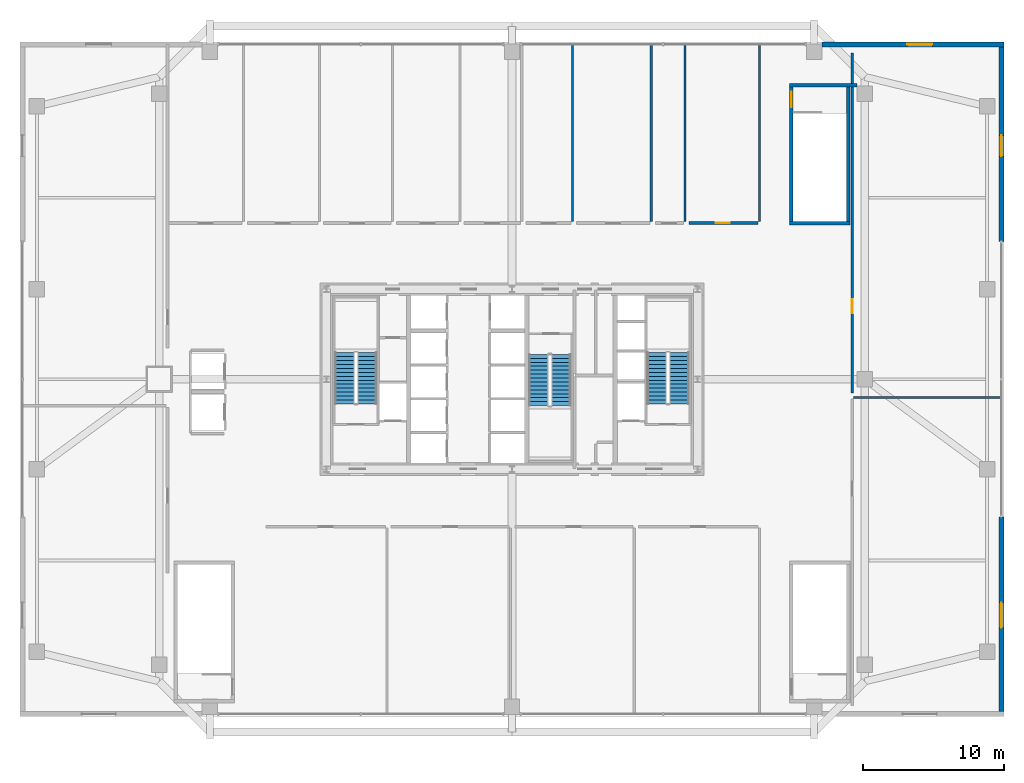
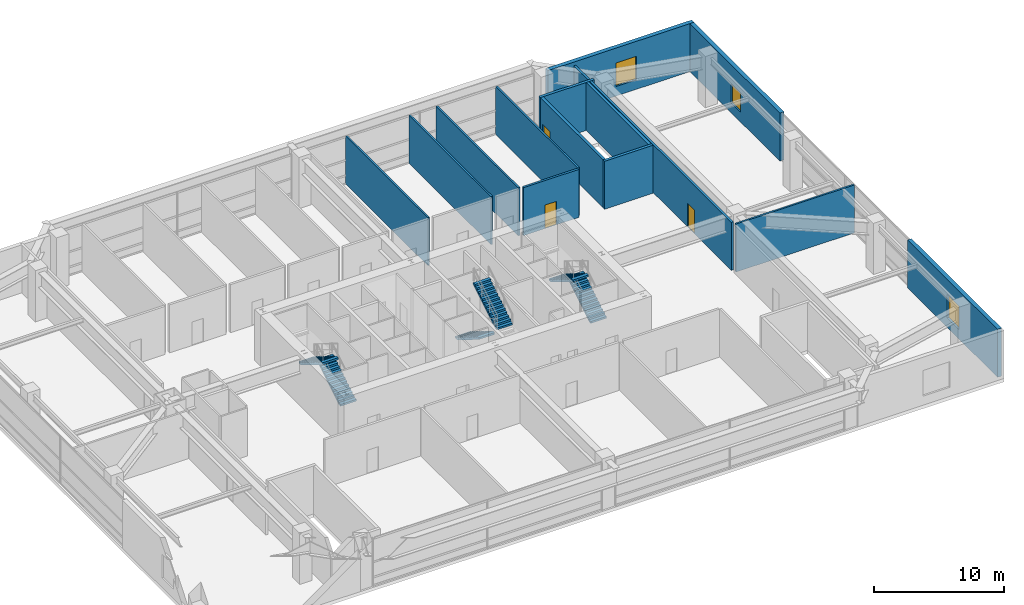
# One storey, part 32 of 34: 14 walls, 6 stair flights, 3 doors, 3 windows, 6 openings, 3 elements without a shape of their own.
"""IFC4 building model written with IfcOpenShell, lengths in metres."""

from ifc_helpers import new_model, si_unit, direction, frame, frame_2d, origin, place, context, subcontext, project, spatial, polyline, rectangle, outline, extrude, source, transform, mapped, material, layer, layer_set, type_object, element, fill, aggregate, save


model = new_model("IFC4")

# Units and contexts
model_context = context("Model", 3, precision=1e-05, world=origin(), true_north=direction((0.0, 1.0)))
body_context = subcontext(model_context, "Body", "Model", "MODEL_VIEW")
ifc_project = project(units=[si_unit("LENGTHUNIT", "METRE"), si_unit("AREAUNIT", "SQUARE_METRE"), si_unit("VOLUMEUNIT", "CUBIC_METRE"), si_unit("PLANEANGLEUNIT", "RADIAN"), si_unit("MASSUNIT", "GRAM", prefix="KILO"), si_unit("THERMODYNAMICTEMPERATUREUNIT", "KELVIN"), si_unit("POWERUNIT", "WATT")], contexts=[model_context])

# Site, building, storey
site_placement = place(None, origin())
site = spatial("IfcSite", under=ifc_project, at=site_placement, CompositionType="ELEMENT")
building_placement = place(site_placement, origin())
building = spatial("IfcBuilding", under=site, at=building_placement, Name="Yuzanri Waterfront Tower", CompositionType="ELEMENT")
storey_placement = place(building_placement, frame((0.0, 0.0, 25.800048828125)))
storey = spatial("IfcBuildingStorey", under=building, at=storey_placement, Name="L06", CompositionType="ELEMENT", Elevation=25.800048828125)

# Wall, opening, door
ifc_material_1 = material(Name="Autoclaved Aerated Concrete Blockwork", Category="masonry")
ifc_layer_1 = layer(ifc_material_1, 0.199951171875)
ifc_layer_set_1 = layer_set([ifc_layer_1], Name="Autoclaved Aerated Concrete Blockwork")
wall_type_1 = type_object("IfcWallType", Name="Corridor and Unit Party Fire Wall 200", PredefinedType="PARTITIONING", material=ifc_layer_set_1)
wall_1_placement = place(storey_placement, frame((61.199951171875, 24.800048828125, 0.0), z_axis=(0.0, 0.0, 1.0), x_axis=(0.0, 1.0, 0.0)))
wall_1 = element("IfcWall", 1, at=wall_1_placement, inside=storey, type_object=wall_type_1, Name="L06 Partition PRW-L06-034-W", PredefinedType="PARTITIONING", context=body_context, shape_type="SweptSolid", body=[
    extrude(rectangle(XDim=24.199951171875, YDim=0.199951171875, at=frame_2d((12.10009765625, 0.0))), origin(), (0.0, 0.0, 1.0), 4.5),
])
opening_1_placement = place(wall_1_placement, frame((5.699951171875, 0.0, 0.0)))
opening_1 = element("IfcOpeningElement", 2, at=opening_1_placement, cuts=wall_1, Name="Opening FD-1000", PredefinedType="OPENING", context=body_context, shape_type="SweptSolid", body=[
    extrude(rectangle(XDim=1.0, YDim=2.199951171875, at=frame_2d((0.5, 1.10009765625))), frame((0.0, 0.11474609375, 0.0), z_axis=(0.0, -1.0, 0.0), x_axis=(1.0, 0.0, 0.0)), (0.0, 0.0, 1.0), 0.229736328125),
])
ifc_material_2 = material(Name="Engineered Oak Fire-Rated Timber", Category="wood")
door_type_1 = type_object("IfcDoorType", Name="Guestroom and Apartment Entrance Fire Door 1000x2200", OperationType="NOTDEFINED", PredefinedType="DOOR", material=ifc_material_2)
shared_shape_1 = source(origin(), body_context, "Body", "SweptSolid", [
    extrude(rectangle(XDim=1.0, YDim=2.199951171875, at=frame_2d((0.5, 1.10009765625))), frame((0.0, 0.02490234375, 0.0), z_axis=(0.0, -1.0, 0.0), x_axis=(1.0, 0.0, 0.0)), (0.0, 0.0, 1.0), 0.050048828125),
])
door_1_placement = place(opening_1_placement, origin())
door_1 = element("IfcDoor", 3, at=door_1_placement, inside=storey, type_object=door_type_1, Name="L06 Simultaneous Interpretation Office", OperationType="SINGLE_SWING_RIGHT", OverallHeight=2.199951171875, OverallWidth=1.0, PredefinedType="DOOR", context=body_context, shape_type="MappedRepresentation", body=[
    mapped(shared_shape_1, transform((0.0, 0.0, 0.0), scale=1.0)),
])
fill(opening_1, door_1)

wall_2_placement = place(storey_placement, frame((49.60009765625, 36.89990234375, 0.0), z_axis=(0.0, 0.0, 1.0), x_axis=(1.0, 0.0, 0.0)))
wall_2 = element("IfcWall", 4, at=wall_2_placement, inside=storey, type_object=wall_type_1, Name="L06 Partition PRW-L06-043-S", PredefinedType="PARTITIONING", context=body_context, shape_type="SweptSolid", body=[
    extrude(rectangle(XDim=4.89990234375, YDim=0.199951171875, at=frame_2d((2.449951171875, 0.0))), origin(), (0.0, 0.0, 1.0), 4.5),
])
opening_2_placement = place(wall_2_placement, frame((1.89990234375, 0.0, 0.0)))
opening_2 = element("IfcOpeningElement", 5, at=opening_2_placement, cuts=wall_2, Name="Opening FD-1000", PredefinedType="OPENING", context=body_context, shape_type="SweptSolid", body=[
    extrude(rectangle(XDim=1.0, YDim=2.199951171875, at=frame_2d((0.5, 1.10009765625))), frame((0.0, 0.11474609375, 0.0), z_axis=(0.0, -1.0, 0.0), x_axis=(1.0, 0.0, 0.0)), (0.0, 0.0, 1.0), 0.229736328125),
])
door_2_placement = place(opening_2_placement, origin())
door_2 = element("IfcDoor", 6, at=door_2_placement, inside=storey, type_object=door_type_1, Name="L06 Conference Archive Store", OperationType="SINGLE_SWING_LEFT", OverallHeight=2.199951171875, OverallWidth=1.0, PredefinedType="DOOR", context=body_context, shape_type="MappedRepresentation", body=[
    mapped(shared_shape_1, transform((0.0, 0.0, 0.0), scale=1.0)),
])
fill(opening_2, door_2)

# Wall, opening, window
ifc_material_3 = material(Name="Honed Chongqing Dark Basalt Stone", Category="masonry")
ifc_layer_2 = layer(ifc_material_3, 0.360107421875)
ifc_layer_set_2 = layer_set([ifc_layer_2], Name="Honed Chongqing Dark Basalt Stone")
wall_type_2 = type_object("IfcWallType", Name="Honed Basalt Stone Masonry-Frame Spandrel Wall 360", PredefinedType="SOLIDWALL", material=ifc_layer_set_2)
wall_3_placement = place(storey_placement, frame((59.070068359375, 49.6201171875, 0.0), z_axis=(0.0, 0.0, 1.0), x_axis=(1.0, 0.0, 0.0)))
wall_3 = element("IfcWall", 7, at=wall_3_placement, inside=storey, type_object=wall_type_2, Name="L06 North-East Basalt Wall", PredefinedType="SOLIDWALL", context=body_context, shape_type="SweptSolid", body=[
    extrude(rectangle(XDim=12.929931640625, YDim=0.360107421875, at=frame_2d((6.46484375, 0.0))), origin(), (0.0, 0.0, 1.0), 4.5),
])
opening_3_placement = place(wall_3_placement, frame((6.030029296875, 0.0, 0.89990234375)))
opening_3 = element("IfcOpeningElement", 8, at=opening_3_placement, cuts=wall_3, Name="Opening WN-01", PredefinedType="OPENING", context=body_context, shape_type="SweptSolid", body=[
    extrude(rectangle(XDim=1.800048828125, YDim=2.199951171875, at=frame_2d((0.89990234375, 1.10009765625))), frame((0.0, 0.19482421875, 0.0), z_axis=(0.0, -1.0, 0.0), x_axis=(1.0, 0.0, 0.0)), (0.0, 0.0, 1.0), 0.389892578125),
])
ifc_material_4 = material(Name="Double-Silver Low-E Insulated Glass", Category="glass")
window_type_1 = type_object("IfcWindowType", Name="Anodized Bronze Recessed Bronze Frame Double Casement Window 1800x2200", PartitioningType="SINGLE_PANEL", PredefinedType="WINDOW", material=ifc_material_4)
shared_shape_2 = source(origin(), body_context, "Body", "SweptSolid", [
    extrude(rectangle(XDim=1.800048828125, YDim=2.199951171875, at=frame_2d((0.89990234375, 1.10009765625))), frame((0.0, 0.030029296875, 0.0), z_axis=(0.0, -1.0, 0.0), x_axis=(1.0, 0.0, 0.0)), (0.0, 0.0, 1.0), 0.06005859375),
])
window_1_placement = place(opening_3_placement, origin())
window_1 = element("IfcWindow", 9, at=window_1_placement, inside=storey, type_object=window_type_1, Name="L06 NE Casement Window", OverallHeight=2.199951171875, OverallWidth=1.800048828125, PartitioningType="SINGLE_PANEL", PredefinedType="WINDOW", context=body_context, shape_type="MappedRepresentation", body=[
    mapped(shared_shape_2, transform((0.0, 0.0, 0.0), scale=1.0)),
])
fill(opening_3, window_1)

wall_4_placement = place(storey_placement, frame((71.820068359375, 2.159912109375, 0.0), z_axis=(0.0, 0.0, 1.0), x_axis=(0.0, 1.0, 0.0)))
wall_4 = element("IfcWall", 10, at=wall_4_placement, inside=storey, type_object=wall_type_2, Name="L06 E South Basalt Pier", PredefinedType="SOLIDWALL", context=body_context, shape_type="SweptSolid", body=[
    extrude(rectangle(XDim=13.840087890625, YDim=0.360107421875, at=frame_2d((6.919921875, 0.0))), origin(), (0.0, 0.0, 1.0), 4.5),
])
opening_4_placement = place(wall_4_placement, frame((5.93994140625, 0.0, 0.89990234375)))
opening_4 = element("IfcOpeningElement", 11, at=opening_4_placement, cuts=wall_4, Name="Opening WN-01", PredefinedType="OPENING", context=body_context, shape_type="SweptSolid", body=[
    extrude(rectangle(XDim=1.800048828125, YDim=2.199951171875, at=frame_2d((0.89990234375, 1.10009765625))), frame((0.0, 0.19482421875, 0.0), z_axis=(0.0, -1.0, 0.0), x_axis=(1.0, 0.0, 0.0)), (0.0, 0.0, 1.0), 0.389892578125),
])
window_2_placement = place(opening_4_placement, origin())
window_2 = element("IfcWindow", 12, at=window_2_placement, inside=storey, type_object=window_type_1, Name="L06 ES Window", OverallHeight=2.199951171875, OverallWidth=1.800048828125, PartitioningType="SINGLE_PANEL", PredefinedType="WINDOW", context=body_context, shape_type="MappedRepresentation", body=[
    mapped(shared_shape_2, transform((0.0, 0.0, 0.0), scale=1.0)),
])
fill(opening_4, window_2)

wall_5_placement = place(storey_placement, frame((71.820068359375, 35.60009765625, 0.0), z_axis=(0.0, 0.0, 1.0), x_axis=(0.0, 1.0, 0.0)))
wall_5 = element("IfcWall", 13, at=wall_5_placement, inside=storey, type_object=wall_type_2, Name="L06 E North Basalt Pier", PredefinedType="SOLIDWALL", context=body_context, shape_type="SweptSolid", body=[
    extrude(rectangle(XDim=13.83984375, YDim=0.360107421875, at=frame_2d((6.919921875, 0.0))), origin(), (0.0, 0.0, 1.0), 4.5),
])
opening_5_placement = place(wall_5_placement, frame((6.050048828125, 0.0, 0.89990234375)))
opening_5 = element("IfcOpeningElement", 14, at=opening_5_placement, cuts=wall_5, Name="Opening WN-04", PredefinedType="OPENING", context=body_context, shape_type="SweptSolid", body=[
    extrude(rectangle(XDim=1.5, YDim=1.800048828125, at=frame_2d((0.75, 0.89990234375))), frame((0.0, 0.19482421875, 0.0), z_axis=(0.0, -1.0, 0.0), x_axis=(1.0, 0.0, 0.0)), (0.0, 0.0, 1.0), 0.389892578125),
])
ifc_material_5 = material(Name="Double-Silver Low-E Insulated Glass", Category="glass")
window_type_2 = type_object("IfcWindowType", Name="Anodized Bronze Suite Operable Tilt-Turn Window 1500x1800", PartitioningType="SINGLE_PANEL", PredefinedType="WINDOW", material=ifc_material_5)
shared_shape_3 = source(origin(), body_context, "Body", "SweptSolid", [
    extrude(rectangle(XDim=1.5, YDim=1.800048828125, at=frame_2d((0.75, 0.89990234375))), frame((0.0, 0.030029296875, 0.0), z_axis=(0.0, -1.0, 0.0), x_axis=(1.0, 0.0, 0.0)), (0.0, 0.0, 1.0), 0.06005859375),
])
window_3_placement = place(opening_5_placement, origin())
window_3 = element("IfcWindow", 15, at=window_3_placement, inside=storey, type_object=window_type_2, Name="L06 EN Window", OverallHeight=1.800048828125, OverallWidth=1.5, PartitioningType="SINGLE_PANEL", PredefinedType="WINDOW", context=body_context, shape_type="MappedRepresentation", body=[
    mapped(shared_shape_3, transform((0.0, 0.0, 0.0), scale=1.0)),
])
fill(opening_5, window_3)

# Wall, opening, door
ifc_material_6 = material(Name="Concrete C40", Category="concrete")
ifc_layer_3 = layer(ifc_material_6, 0.25)
ifc_layer_set_3 = layer_set([ifc_layer_3], Name="Concrete C40")
wall_type_3 = type_object("IfcWallType", Name="Smoke-Proof Stair and Lift Shaft Wall 250", PredefinedType="SOLIDWALL", material=ifc_layer_set_3)
wall_6_placement = place(storey_placement, frame((56.875, 37.0, 0.0), z_axis=(0.0, 0.0, 1.0), x_axis=(0.0, 1.0, 0.0)))
wall_6 = element("IfcWall", 16, at=wall_6_placement, inside=storey, type_object=wall_type_3, Name="L06 Shaft Wall PSTW-L06-PST-03-W", PredefinedType="SOLIDWALL", context=body_context, shape_type="SweptSolid", body=[
    extrude(rectangle(XDim=9.60009765625, YDim=0.25, at=frame_2d((4.800048828125, 0.0))), origin(), (0.0, 0.0, 1.0), 4.5),
])
opening_6_placement = place(wall_6_placement, frame((8.14990234375, 0.0, 0.0)))
opening_6 = element("IfcOpeningElement", 17, at=opening_6_placement, cuts=wall_6, Name="Opening FD-1100", PredefinedType="OPENING", context=body_context, shape_type="SweptSolid", body=[
    extrude(rectangle(XDim=1.10009765625, YDim=2.199951171875, at=frame_2d((0.550048828125, 1.10009765625))), frame((0.0, 0.139892578125, 0.0), z_axis=(0.0, -1.0, 0.0), x_axis=(1.0, 0.0, 0.0)), (0.0, 0.0, 1.0), 0.27978515625),
])
ifc_material_7 = material(Name="Painted Galvanized Fire Steel", Category="steel")
door_type_2 = type_object("IfcDoorType", Name="Smoke-Proof Stair and Lobby Fire Door 1100x2200", OperationType="NOTDEFINED", PredefinedType="DOOR", material=ifc_material_7)
shared_shape_4 = source(origin(), body_context, "Body", "SweptSolid", [
    extrude(rectangle(XDim=1.10009765625, YDim=2.199951171875, at=frame_2d((0.550048828125, 1.10009765625))), frame((0.0, 0.02490234375, 0.0), z_axis=(0.0, -1.0, 0.0), x_axis=(1.0, 0.0, 0.0)), (0.0, 0.0, 1.0), 0.050048828125),
])
door_3_placement = place(opening_6_placement, origin())
door_3 = element("IfcDoor", 18, at=door_3_placement, inside=storey, type_object=door_type_2, Name="L06 PST-03 Stair Door", OperationType="SINGLE_SWING_LEFT", OverallHeight=2.199951171875, OverallWidth=1.10009765625, PredefinedType="DOOR", context=body_context, shape_type="MappedRepresentation", body=[
    mapped(shared_shape_4, transform((0.0, 0.0, 0.0), scale=1.0)),
])
fill(opening_6, door_3)

# Walls
shared_shape_5 = source(origin(), body_context, "Body", "SweptSolid", [
    extrude(rectangle(XDim=4.300048828125, YDim=0.25, at=frame_2d((2.14990234375, 0.0))), origin(), (0.0, 0.0, 1.0), 4.5),
])
wall_7_placement = place(storey_placement, frame((56.75, 36.875, 0.0), z_axis=(0.0, 0.0, 1.0), x_axis=(1.0, 0.0, 0.0)))
element("IfcWall", 19, at=wall_7_placement, inside=storey, type_object=wall_type_3, Name="L06 PST-03 South Wall", PredefinedType="SOLIDWALL", context=body_context, shape_type="MappedRepresentation", body=[
    mapped(shared_shape_5, transform((0.0, 0.0, 0.0), scale=1.0)),
])
shared_shape_6 = source(origin(), body_context, "Body", "SweptSolid", [
    extrude(rectangle(XDim=9.60009765625, YDim=0.25, at=frame_2d((4.800048828125, 0.0))), origin(), (0.0, 0.0, 1.0), 4.5),
])
wall_8_placement = place(storey_placement, frame((60.925048828125, 37.0, 0.0), z_axis=(0.0, 0.0, 1.0), x_axis=(0.0, 1.0, 0.0)))
element("IfcWall", 20, at=wall_8_placement, inside=storey, type_object=wall_type_3, Name="L06 Shaft Wall PSTW-L06-PST-03-E", PredefinedType="SOLIDWALL", context=body_context, shape_type="MappedRepresentation", body=[
    mapped(shared_shape_6, transform((0.0, 0.0, 0.0), scale=1.0)),
])
shared_shape_7 = source(origin(), body_context, "Body", "SweptSolid", [
    extrude(rectangle(XDim=4.800048828125, YDim=0.25, at=frame_2d((2.39990234375, 0.0))), origin(), (0.0, 0.0, 1.0), 4.5),
])
wall_9_placement = place(storey_placement, frame((56.75, 46.72509765625, 0.0), z_axis=(0.0, 0.0, 1.0), x_axis=(1.0, 0.0, 0.0)))
element("IfcWall", 21, at=wall_9_placement, inside=storey, type_object=wall_type_3, Name="L06 PST-03 North Wall", PredefinedType="SOLIDWALL", context=body_context, shape_type="MappedRepresentation", body=[
    mapped(shared_shape_7, transform((0.0, 0.0, 0.0), scale=1.0)),
])
ifc_material_8 = material(Name="Gypsum Fireboard Acoustic Stud Wall", Category="gypsum")
ifc_layer_4 = layer(ifc_material_8, 0.159912109375)
ifc_layer_set_4 = layer_set([ifc_layer_4], Name="Gypsum Fireboard Acoustic Stud Wall")
wall_type_4 = type_object("IfcWallType", Name="Acoustic Suite Demising Partition 160", PredefinedType="PARTITIONING", material=ifc_layer_set_4)
shared_shape_8 = source(origin(), body_context, "Body", "SweptSolid", [
    extrude(rectangle(XDim=10.52001953125, YDim=0.159912109375, at=frame_2d((5.260009765625, 0.0))), origin(), (0.0, 0.0, 1.0), 4.5),
])
wall_10_placement = place(storey_placement, frame((61.300048828125, 24.5, 0.0), z_axis=(0.0, 0.0, 1.0), x_axis=(1.0, 0.0, 0.0)))
element("IfcWall", 22, at=wall_10_placement, inside=storey, type_object=wall_type_4, Name="L06-033 North Partition", PredefinedType="PARTITIONING", context=body_context, shape_type="MappedRepresentation", body=[
    mapped(shared_shape_8, transform((0.0, 0.0, 0.0), scale=1.0)),
])
shared_shape_9 = source(origin(), body_context, "Body", "SweptSolid", [
    extrude(rectangle(XDim=12.6201171875, YDim=0.159912109375, at=frame_2d((6.31005859375, 0.0))), origin(), (0.0, 0.0, 1.0), 4.5),
])
for number, where, z_axis, x_axis, name in (
    (23, (41.300048828125, 37.0, 0.0), (0.0, 0.0, 1.0), (0.0, 1.0, 0.0), "L06-040 Demising Wall"),
    (24, (46.89990234375, 37.0, 0.0), (0.0, 0.0, 1.0), (0.0, 1.0, 0.0), "L06-041 Demising Wall"),
    (25, (49.300048828125, 37.0, 0.0), (0.0, 0.0, 1.0), (0.0, 1.0, 0.0), "L06-042 Demising Wall"),
    (26, (54.60009765625, 37.0, 0.0), (0.0, 0.0, 1.0), (0.0, 1.0, 0.0), "L06-043 Demising Wall"),
):
    element("IfcWall", number, at=place(storey_placement, frame(where, z_axis=z_axis, x_axis=x_axis)), inside=storey, type_object=wall_type_4, Name=name, PredefinedType="PARTITIONING", context=body_context, shape_type="MappedRepresentation", body=[
        mapped(shared_shape_9, transform((0.0, 0.0, 0.0), scale=1.0)),
    ])

# Stair, stair flights
ifc_material_9 = material(Name="Concrete C40", Category="concrete")
stair_type = type_object("IfcStairType", Name="Concrete C40 Core Dogleg Exit Stair", PredefinedType="HALF_TURN_STAIR", material=ifc_material_9)
stair_1_placement = place(storey_placement, origin())
stair_1 = element("IfcStair", 27, at=stair_1_placement, inside=storey, type_object=stair_type, Name="L06 Smoke-Proof Core Stair ST-01", PredefinedType="HALF_TURN_STAIR")
ifc_material_10 = material(Name="Concrete C40", Category="concrete")
stair_flight_type = type_object("IfcStairFlightType", Name="Concrete C40 Tall-Storey Precast Stair Flight 1380", PredefinedType="STRAIGHT", material=ifc_material_10)
shared_shape_10 = source(origin(), body_context, "Body", "SweptSolid", [
    extrude(outline(polyline([(0.0, 0.0), (0.0, 0.17138671875), (0.280029296875, 0.17138671875), (0.280029296875, 0.3427734375), (0.56005859375, 0.3427734375), (0.56005859375, 0.514404296875), (0.840087890625, 0.514404296875), (0.840087890625, 0.685791015625), (1.1201171875, 0.685791015625), (1.1201171875, 0.857177734375), (1.39990234375, 0.857177734375), (1.39990234375, 1.028564453125), (1.679931640625, 1.028564453125), (1.679931640625, 1.199951171875), (1.9599609375, 1.199951171875), (1.9599609375, 1.371337890625), (2.239990234375, 1.371337890625), (2.239990234375, 1.54296875), (2.52001953125, 1.54296875), (2.52001953125, 1.71435546875), (2.800048828125, 1.71435546875), (2.800048828125, 1.8857421875), (3.080078125, 1.8857421875), (3.080078125, 2.05712890625), (3.360107421875, 2.05712890625), (3.360107421875, 2.228515625), (3.639892578125, 2.228515625), (3.639892578125, 2.39990234375), (3.639892578125, 2.052734375), (0.287109375, 0.0), (0.0, 0.0)])), frame((0.0, 0.699951171875, 0.0), z_axis=(0.0, -1.0, 0.0), x_axis=(1.0, 0.0, 0.0)), (0.0, 0.0, 1.0), 1.39990234375),
])
stair_flight_1_placement = place(storey_placement, frame((26.699951171875, 24.0400390625, 0.0), z_axis=(0.0, 0.0, 1.0), x_axis=(0.0, 1.0, 0.0)))
stair_flight_1 = element("IfcStairFlight", 28, at=stair_flight_1_placement, type_object=stair_flight_type, Name="ST-01 flight 1", NumberOfRisers=14, NumberOfTreads=13, PredefinedType="STRAIGHT", RiserHeight=0.171428571, TreadLength=0.28, context=body_context, shape_type="MappedRepresentation", body=[
    mapped(shared_shape_10, transform((0.0, 0.0, 0.0), scale=1.0)),
])
stair_flight_2_placement = place(storey_placement, frame((25.10009765625, 27.679931640625, 2.39990234375), z_axis=(0.0, 0.0, 1.0), x_axis=(0.0, -1.0, 0.0)))
stair_flight_2 = element("IfcStairFlight", 29, at=stair_flight_2_placement, type_object=stair_flight_type, Name="ST-01 flight 2", NumberOfRisers=14, NumberOfTreads=13, PredefinedType="STRAIGHT", RiserHeight=0.171428571, TreadLength=0.28, context=body_context, shape_type="MappedRepresentation", body=[
    mapped(shared_shape_10, transform((0.0, 0.0, 0.0), scale=1.0)),
])
aggregate(stair_1, [stair_flight_1, stair_flight_2])

stair_2_placement = place(storey_placement, origin())
stair_2 = element("IfcStair", 30, at=stair_2_placement, inside=storey, type_object=stair_type, Name="L06 Smoke-Proof Core Stair ST-02", PredefinedType="HALF_TURN_STAIR")
stair_flight_3_placement = place(storey_placement, frame((48.89990234375, 24.0400390625, 0.0), z_axis=(0.0, 0.0, 1.0), x_axis=(0.0, 1.0, 0.0)))
stair_flight_3 = element("IfcStairFlight", 31, at=stair_flight_3_placement, type_object=stair_flight_type, Name="ST-02 flight 1", NumberOfRisers=14, NumberOfTreads=13, PredefinedType="STRAIGHT", RiserHeight=0.171428571, TreadLength=0.28, context=body_context, shape_type="MappedRepresentation", body=[
    mapped(shared_shape_10, transform((0.0, 0.0, 0.0), scale=1.0)),
])
stair_flight_4_placement = place(storey_placement, frame((47.300048828125, 27.679931640625, 2.39990234375), z_axis=(0.0, 0.0, 1.0), x_axis=(0.0, -1.0, 0.0)))
stair_flight_4 = element("IfcStairFlight", 32, at=stair_flight_4_placement, type_object=stair_flight_type, Name="ST-02 flight 2", NumberOfRisers=14, NumberOfTreads=13, PredefinedType="STRAIGHT", RiserHeight=0.171428571, TreadLength=0.28, context=body_context, shape_type="MappedRepresentation", body=[
    mapped(shared_shape_10, transform((0.0, 0.0, 0.0), scale=1.0)),
])
aggregate(stair_2, [stair_flight_3, stair_flight_4])

stair_3_placement = place(storey_placement, origin())
stair_3 = element("IfcStair", 33, at=stair_3_placement, inside=storey, type_object=stair_type, Name="L06 Smoke-Proof Core Stair ST-03", PredefinedType="HALF_TURN_STAIR")
stair_flight_5_placement = place(storey_placement, frame((38.89990234375, 27.56005859375, 0.0), z_axis=(0.0, 0.0, 1.0), x_axis=(0.0, -1.0, 0.0)))
stair_flight_5 = element("IfcStairFlight", 34, at=stair_flight_5_placement, type_object=stair_flight_type, Name="ST-03 flight 1", NumberOfRisers=14, NumberOfTreads=13, PredefinedType="STRAIGHT", RiserHeight=0.171428571, TreadLength=0.28, context=body_context, shape_type="MappedRepresentation", body=[
    mapped(shared_shape_10, transform((0.0, 0.0, 0.0), scale=1.0)),
])
stair_flight_6_placement = place(storey_placement, frame((40.5, 23.919921875, 2.39990234375), z_axis=(0.0, 0.0, 1.0), x_axis=(0.0, 1.0, 0.0)))
stair_flight_6 = element("IfcStairFlight", 35, at=stair_flight_6_placement, type_object=stair_flight_type, Name="ST-03 flight 2", NumberOfRisers=14, NumberOfTreads=13, PredefinedType="STRAIGHT", RiserHeight=0.171428571, TreadLength=0.28, context=body_context, shape_type="MappedRepresentation", body=[
    mapped(shared_shape_10, transform((0.0, 0.0, 0.0), scale=1.0)),
])
aggregate(stair_3, [stair_flight_5, stair_flight_6])

save(model, "model.ifc")
